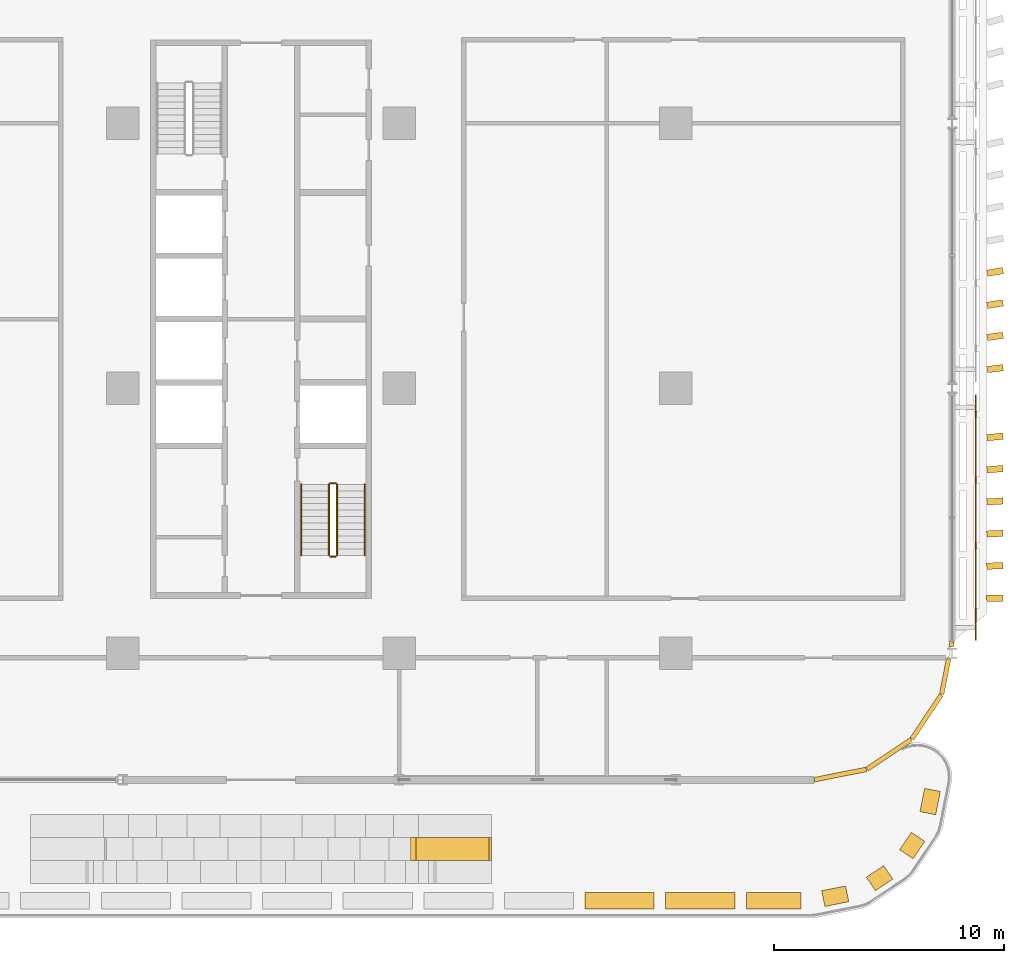
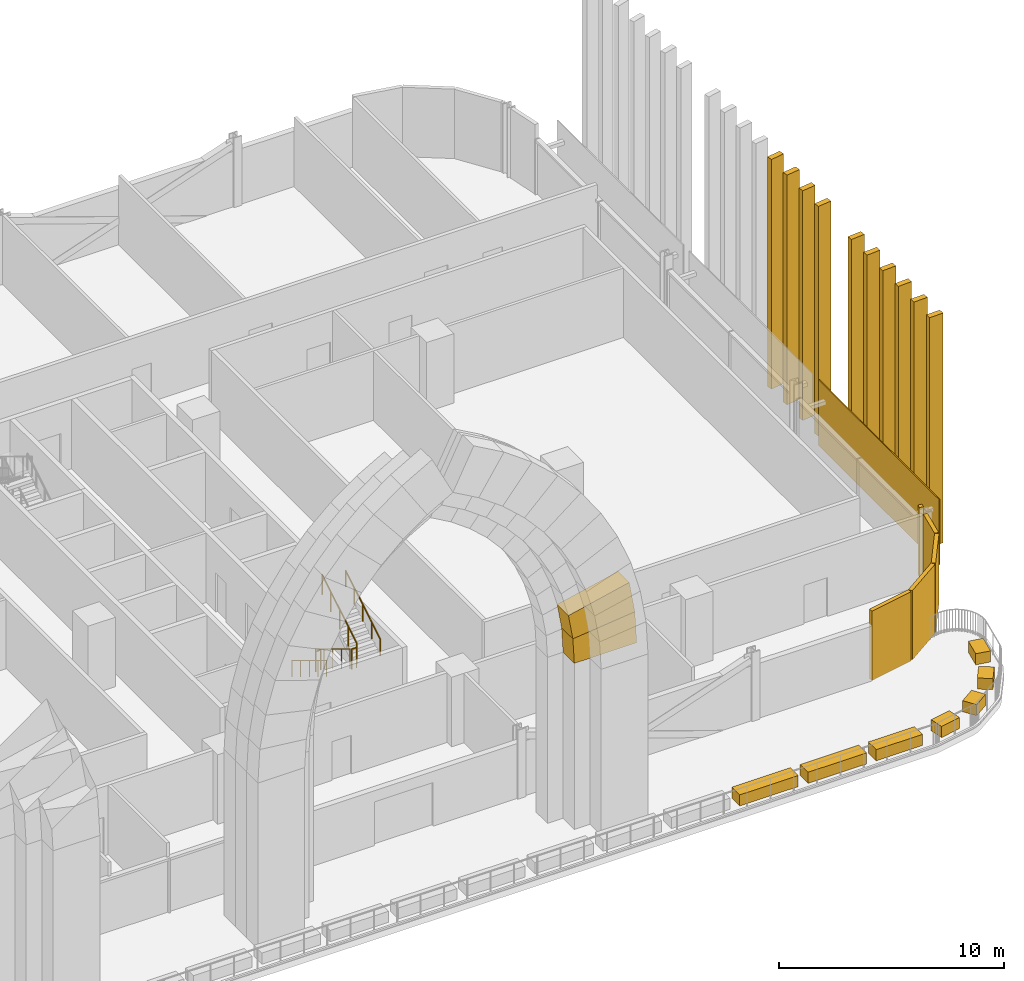
# One storey, part 28 of 31: 25 coverings, 6 railings.
"""IFC4 building model written with IfcOpenShell, lengths in metres."""

from ifc_helpers import new_model, si_unit, direction, frame, origin, origin_2d, place, context, subcontext, project, spatial, polyline, rectangle, circle, outline, extrude, material, layer, layer_set, type_object, element, save


model = new_model("IFC4")

# Units and contexts
model_context = context("Model", 3, precision=1e-05, world=origin(), true_north=direction((0.0, 1.0)))
body_context = subcontext(model_context, "Body", "Model", "MODEL_VIEW")
ifc_project = project(units=[si_unit("LENGTHUNIT", "METRE"), si_unit("AREAUNIT", "SQUARE_METRE"), si_unit("VOLUMEUNIT", "CUBIC_METRE"), si_unit("PLANEANGLEUNIT", "RADIAN"), si_unit("MASSUNIT", "GRAM", prefix="KILO")], contexts=[model_context])

# Site, building, storey
site_placement = place(None, origin())
site = spatial("IfcSite", under=ifc_project, at=site_placement, CompositionType="ELEMENT")
building_placement = place(site_placement, origin())
building = spatial("IfcBuilding", under=site, at=building_placement, Name="Mahtab Terrace Research Tower", CompositionType="ELEMENT")
storey_placement = place(building_placement, frame((0.0, 0.0, 84.800048828125)))
storey = spatial("IfcBuildingStorey", under=building, at=storey_placement, Name="L19", CompositionType="ELEMENT", Elevation=84.800048828125)

# Coverings
ifc_material_1 = material(Name="Black aluminium cladding panel", Category="aluminium")
ifc_layer_1 = layer(ifc_material_1, 0.199951171875)
ifc_layer_set_1 = layer_set([ifc_layer_1], Name="Black metal corner cladding 200")
covering_type_1 = type_object("IfcCoveringType", Name="Black metal corner cladding 200", PredefinedType="CLADDING", material=ifc_layer_set_1)
for number, where, z_axis, x_axis, name in (
    (1, (49.14794921875, -16.771484375, 0.0), (0.0, 0.0, 1.0), (0.980760981187, 0.195212442692, 0.0), "Corner cladding L19 31"),
    (2, (51.26953125, -15.89306640625, 0.0), (0.0, 0.0, 1.0), (0.831655794326, 0.555291490808, 0.0), "Corner cladding L19 32"),
    (3, (52.89306640625, -14.26953125, 0.0), (0.0, 0.0, 1.0), (0.555291490808, 0.831655794326, 0.0), "Corner cladding L19 33"),
):
    element("IfcCovering", number, at=place(storey_placement, frame(where, z_axis=z_axis, x_axis=x_axis)), inside=storey, type_object=covering_type_1, Name=name, PredefinedType="CLADDING", context=body_context, shape_type="SweptSolid", body=[
        extrude(rectangle(XDim=2.30126953125, YDim=0.199951171875, at=origin_2d()), origin(), (0.0, 0.0, 1.0), 3.760009765625),
    ])
covering_1_placement = place(storey_placement, frame((53.699462890625, -12.51025390625, 0.0), z_axis=(0.0, 0.0, 1.0), x_axis=(0.195212442692, 0.980760981187, 0.0)))
element("IfcCovering", 4, at=covering_1_placement, inside=storey, type_object=covering_type_1, Name="Corner cladding L19 34", PredefinedType="CLADDING", context=body_context, shape_type="SweptSolid", body=[
    extrude(rectangle(XDim=1.562744140625, YDim=0.199951171875, at=origin_2d()), origin(), (0.0, 0.0, 1.0), 3.760009765625),
])
covering_2_placement = place(storey_placement, frame((53.977294921875, -11.114013671875, 0.0), z_axis=(0.0, 0.0, 1.0), x_axis=(0.195212442692, 0.980760981187, 0.0)))
element("IfcCovering", 5, at=covering_2_placement, inside=storey, type_object=covering_type_1, Name="Corner cladding L19 35", PredefinedType="CLADDING", context=body_context, shape_type="SweptSolid", body=[
    extrude(rectangle(XDim=0.212158203125, YDim=0.199951171875, at=origin_2d()), origin(), (0.0, 0.0, 1.0), 3.760009765625),
])
ifc_material_2 = material(Name="Glazed ceramic tile cladding", Category="masonry")
ifc_layer_2 = layer(ifc_material_2, 1.0)
ifc_layer_set_2 = layer_set([ifc_layer_2], Name="Iwan portal cladding arch course 800")
covering_type_2 = type_object("IfcCoveringType", Name="Iwan portal cladding arch course 800", PredefinedType="CLADDING", material=ifc_layer_set_2)
covering_3_placement = place(storey_placement, frame((30.800048828125, -19.5, 9.030029296875), z_axis=(0.0, 1.0, 0.0), x_axis=(-0.055191226399, 0.0, 0.998475802676)))
element("IfcCovering", 6, at=covering_3_placement, inside=storey, type_object=covering_type_2, Name="Iwan portal arch course 2.2.2E1", PredefinedType="CLADDING", context=body_context, shape_type="SweptSolid", body=[
    extrude(outline(polyline([(0.0, 0.0), (1.3580269322667167, 0.0), (1.536962013624163, 3.1946766047444584), (-0.17660922959347186, 3.1950738148604), (0.0, 0.0)])), origin(), (0.0, 0.0, -1.0), 1.0),
])
covering_4_placement = place(storey_placement, frame((30.72509765625, -19.5, 10.385986328125), z_axis=(0.0, 1.0, 0.0), x_axis=(-0.166379947434, 0.0, 0.986061718703)))
element("IfcCovering", 7, at=covering_4_placement, inside=storey, type_object=covering_type_2, Name="Iwan portal arch course 2.2.2E2", PredefinedType="CLADDING", context=body_context, shape_type="SweptSolid", body=[
    extrude(outline(polyline([(0.0, 0.0), (1.3587828475505148, 0.0), (1.5336205499310798, 3.195702399212898), (-0.17904420808999094, 3.194670490643973), (0.0, 0.0)])), origin(), (0.0, 0.0, -1.0), 1.0),
])
ifc_material_3 = material(Name="Planting soil and shrubs")
ifc_layer_3 = layer(ifc_material_3, 0.1201171875)
ifc_layer_set_3 = layer_set([ifc_layer_3], Name="Planter")
covering_type_3 = type_object("IfcCoveringType", Name="Planter", PredefinedType="USERDEFINED", material=ifc_layer_set_3)
for number, where, z_axis, x_axis, name in (
    (8, (39.56591796875, -22.25, 0.02978515625), (0.0, 0.0, 1.0), (1.0, 0.0, 0.0), "PLANTER terrace 2"),
    (9, (43.06591796875, -22.25, 0.02978515625), (0.0, 0.0, 1.0), (1.0, 0.0, 0.0), "PLANTER terrace 2"),
):
    element("IfcCovering", number, at=place(storey_placement, frame(where, z_axis=z_axis, x_axis=x_axis)), inside=storey, type_object=covering_type_3, Name=name, ObjectType="PLANTER", PredefinedType="USERDEFINED", context=body_context, shape_type="SweptSolid", body=[
        extrude(rectangle(XDim=3.0, YDim=0.699951171875, at=origin_2d()), origin(), (0.0, 0.0, 1.0), 0.60009765625),
    ])
covering_5_placement = place(storey_placement, frame((46.25, -22.25, 0.02978515625), z_axis=(0.0, 0.0, 1.0), x_axis=(1.0, 0.0, 0.0)))
element("IfcCovering", 10, at=covering_5_placement, inside=storey, type_object=covering_type_3, Name="PLANTER terrace 2", ObjectType="PLANTER", PredefinedType="USERDEFINED", context=body_context, shape_type="SweptSolid", body=[
    extrude(rectangle(XDim=2.368408203125, YDim=0.699951171875, at=origin_2d()), origin(), (0.0, 0.0, 1.0), 0.60009765625),
])
covering_6_placement = place(storey_placement, frame((48.92822265625, -22.05029296875, 0.02978515625), z_axis=(0.0, 0.0, 1.0), x_axis=(0.980742754391, 0.195303993071, 0.0)))
element("IfcCovering", 11, at=covering_6_placement, inside=storey, type_object=covering_type_3, Name="PLANTER terrace 2", ObjectType="PLANTER", PredefinedType="USERDEFINED", context=body_context, shape_type="SweptSolid", body=[
    extrude(rectangle(XDim=1.060546875, YDim=0.699951171875, at=origin_2d()), origin(), (0.0, 0.0, 1.0), 0.60009765625),
])
for number, where, z_axis, x_axis, name in (
    (12, (50.853759765625, -21.268798828125, 0.02978515625), (0.0, 0.0, 1.0), (0.831344457855, 0.555757494231, 0.0), "PLANTER terrace 2"),
    (13, (52.268798828125, -19.853759765625, 0.02978515625), (0.0, 0.0, 1.0), (0.555757494231, 0.831344457855, 0.0), "PLANTER terrace 2"),
):
    element("IfcCovering", number, at=place(storey_placement, frame(where, z_axis=z_axis, x_axis=x_axis)), inside=storey, type_object=covering_type_3, Name=name, ObjectType="PLANTER", PredefinedType="USERDEFINED", context=body_context, shape_type="SweptSolid", body=[
        extrude(rectangle(XDim=0.908447265625, YDim=0.699951171875, at=origin_2d()), origin(), (0.0, 0.0, 1.0), 0.60009765625),
    ])
covering_7_placement = place(storey_placement, frame((53.0478515625, -17.941162109375, 0.02978515625), z_axis=(0.0, 0.0, 1.0), x_axis=(0.195395445655, 0.980724538195, 0.0)))
element("IfcCovering", 14, at=covering_7_placement, inside=storey, type_object=covering_type_3, Name="PLANTER terrace 2", ObjectType="PLANTER", PredefinedType="USERDEFINED", context=body_context, shape_type="SweptSolid", body=[
    extrude(rectangle(XDim=1.0341796875, YDim=0.699951171875, at=origin_2d()), origin(), (0.0, 0.0, 1.0), 0.60009765625),
])
ifc_material_4 = material(Name="Bronze anodised aluminium", Category="aluminium")
ifc_layer_4 = layer(ifc_material_4, 0.050048828125)
ifc_layer_set_4 = layer_set([ifc_layer_4], Name="Sky lounge girih screen panel")
covering_type_4 = type_object("IfcCoveringType", Name="Sky lounge girih screen panel", PredefinedType="CLADDING", material=ifc_layer_set_4)
covering_8_placement = place(storey_placement, frame((55.02490234375, -5.614013671875, 0.099853515625), z_axis=(0.0, 0.0, 1.0), x_axis=(0.0, 1.0, 0.0)))
element("IfcCovering", 15, at=covering_8_placement, inside=storey, type_object=covering_type_4, Name="Girih screen L19 E37", PredefinedType="CLADDING", context=body_context, shape_type="SweptSolid", body=[
    extrude(rectangle(XDim=10.672119140625, YDim=0.050048828125, at=origin_2d()), origin(), (0.0, 0.0, 1.0), 3.56005859375),
])

# Railings
ifc_material_5 = material(Name="Stainless steel AISI 304", Category="steel")
railing_type_1 = type_object("IfcRailingType", Name="Stair guard 1100", PredefinedType="GUARDRAIL", material=ifc_material_5)
railing_1_placement = place(storey_placement, frame((26.949951171875, -4.175048828125, 0.1708984375)))
element("IfcRailing", 16, at=railing_1_placement, inside=storey, type_object=railing_type_1, Name="L19 ST4 stair guard 1", PredefinedType="GUARDRAIL", context=body_context, shape_type="SweptSolid", body=[
    extrude(circle(Radius=0.02392578125, at=origin_2d()), frame((0.0, 0.0, 1.076171875), z_axis=(0.0, -0.853647949592, 0.520850437417), x_axis=(1.0, 0.0, 0.0)), (0.0, 0.0, 1.0), 3.60791015625),
    extrude(circle(Radius=0.02099609375, at=origin_2d()), origin(), (0.0, 0.0, 1.0), 1.052001953125),
    extrude(circle(Radius=0.02099609375, at=origin_2d()), frame((0.0, -0.77001953125, 0.4697265625)), (0.0, 0.0, 1.0), 1.052001953125),
    extrude(circle(Radius=0.02099609375, at=origin_2d()), frame((0.0, -1.5400390625, 0.939453125)), (0.0, 0.0, 1.0), 1.052001953125),
    extrude(circle(Radius=0.02099609375, at=origin_2d()), frame((0.0, -2.309814453125, 1.409423828125)), (0.0, 0.0, 1.0), 1.052001953125),
    extrude(circle(Radius=0.02099609375, at=origin_2d()), frame((0.0, -3.079833984375, 1.879150390625)), (0.0, 0.0, 1.0), 1.052001953125),
])
railing_2_placement = place(storey_placement, frame((27.0, -7.304931640625, 2.050048828125)))
element("IfcRailing", 17, at=railing_2_placement, inside=storey, type_object=railing_type_1, Name="L19 ST4 stair guard 2", PredefinedType="GUARDRAIL", context=body_context, shape_type="SweptSolid", body=[
    extrude(circle(Radius=0.02392578125, at=origin_2d()), frame((0.0, 0.0, 1.076171875), z_axis=(1.0, 0.0, 0.0), x_axis=(0.0, 1.0, 0.0)), (0.0, 0.0, 1.0), 0.25),
    extrude(circle(Radius=0.02099609375, at=origin_2d()), origin(), (0.0, 0.0, 1.0), 1.052001953125),
    extrude(circle(Radius=0.02099609375, at=origin_2d()), frame((0.25, 0.0, 0.0)), (0.0, 0.0, 1.0), 1.052001953125),
])
railing_3_placement = place(storey_placement, frame((27.300048828125, -7.2548828125, 2.220703125)))
element("IfcRailing", 18, at=railing_3_placement, inside=storey, type_object=railing_type_1, Name="L19 ST4 stair guard 3", PredefinedType="GUARDRAIL", context=body_context, shape_type="SweptSolid", body=[
    extrude(circle(Radius=0.02392578125, at=origin_2d()), frame((0.0, 0.0, 1.076171875), z_axis=(0.0, 0.853647949592, 0.520850437417), x_axis=(-1.0, 0.0, 0.0)), (0.0, 0.0, 1.0), 3.60791015625),
    extrude(circle(Radius=0.02099609375, at=origin_2d()), origin(), (0.0, 0.0, 1.0), 1.052001953125),
    extrude(circle(Radius=0.02099609375, at=origin_2d()), frame((0.0, 0.77001953125, 0.4697265625)), (0.0, 0.0, 1.0), 1.052001953125),
    extrude(circle(Radius=0.02099609375, at=origin_2d()), frame((0.0, 1.5400390625, 0.939453125)), (0.0, 0.0, 1.0), 1.052001953125),
    extrude(circle(Radius=0.02099609375, at=origin_2d()), frame((0.0, 2.309814453125, 1.409423828125)), (0.0, 0.0, 1.0), 1.052001953125),
    extrude(circle(Radius=0.02099609375, at=origin_2d()), frame((0.0, 3.079833984375, 1.879150390625)), (0.0, 0.0, 1.0), 1.052001953125),
])
railing_4_placement = place(storey_placement, frame((27.0, -4.125, 0.0)))
element("IfcRailing", 19, at=railing_4_placement, inside=storey, type_object=railing_type_1, Name="L19 ST4 stair guard 4", PredefinedType="GUARDRAIL", context=body_context, shape_type="SweptSolid", body=[
    extrude(circle(Radius=0.02392578125, at=origin_2d()), frame((0.0, 0.0, 1.076171875), z_axis=(1.0, 0.0, 0.0), x_axis=(0.0, 1.0, 0.0)), (0.0, 0.0, 1.0), 0.25),
    extrude(circle(Radius=0.02099609375, at=origin_2d()), origin(), (0.0, 0.0, 1.0), 1.052001953125),
    extrude(circle(Radius=0.02099609375, at=origin_2d()), frame((0.25, 0.0, 0.0)), (0.0, 0.0, 1.0), 1.052001953125),
])
railing_type_2 = type_object("IfcRailingType", Name="Stair handrail 900", PredefinedType="HANDRAIL", material=ifc_material_5)
railing_5_placement = place(storey_placement, frame((25.75, -4.175048828125, 0.1708984375)))
element("IfcRailing", 20, at=railing_5_placement, inside=storey, type_object=railing_type_2, Name="L19 ST4 stair handrail 1", PredefinedType="HANDRAIL", context=body_context, shape_type="SweptSolid", body=[
    extrude(circle(Radius=0.02392578125, at=origin_2d()), frame((0.0, 0.0, 0.8759765625), z_axis=(0.0, -0.853647949592, 0.520850437417), x_axis=(1.0, 0.0, 0.0)), (0.0, 0.0, 1.0), 3.60791015625),
    extrude(circle(Radius=0.02099609375, at=origin_2d()), origin(), (0.0, 0.0, 1.0), 0.851806640625),
    extrude(circle(Radius=0.02099609375, at=origin_2d()), frame((0.0, -0.77001953125, 0.4697265625)), (0.0, 0.0, 1.0), 0.851806640625),
    extrude(circle(Radius=0.02099609375, at=origin_2d()), frame((0.0, -1.5400390625, 0.939453125)), (0.0, 0.0, 1.0), 0.851806640625),
    extrude(circle(Radius=0.02099609375, at=origin_2d()), frame((0.0, -2.309814453125, 1.409423828125)), (0.0, 0.0, 1.0), 0.851806640625),
    extrude(circle(Radius=0.02099609375, at=origin_2d()), frame((0.0, -3.079833984375, 1.879150390625)), (0.0, 0.0, 1.0), 0.851806640625),
])
railing_6_placement = place(storey_placement, frame((28.5, -7.2548828125, 2.220703125)))
element("IfcRailing", 21, at=railing_6_placement, inside=storey, type_object=railing_type_2, Name="L19 ST4 stair handrail 2", PredefinedType="HANDRAIL", context=body_context, shape_type="SweptSolid", body=[
    extrude(circle(Radius=0.02392578125, at=origin_2d()), frame((0.0, 0.0, 0.8759765625), z_axis=(0.0, 0.853647949592, 0.520850437417), x_axis=(-1.0, 0.0, 0.0)), (0.0, 0.0, 1.0), 3.60791015625),
    extrude(circle(Radius=0.02099609375, at=origin_2d()), origin(), (0.0, 0.0, 1.0), 0.851806640625),
    extrude(circle(Radius=0.02099609375, at=origin_2d()), frame((0.0, 0.77001953125, 0.4697265625)), (0.0, 0.0, 1.0), 0.851806640625),
    extrude(circle(Radius=0.02099609375, at=origin_2d()), frame((0.0, 1.5400390625, 0.939453125)), (0.0, 0.0, 1.0), 0.851806640625),
    extrude(circle(Radius=0.02099609375, at=origin_2d()), frame((0.0, 2.309814453125, 1.409423828125)), (0.0, 0.0, 1.0), 0.851806640625),
    extrude(circle(Radius=0.02099609375, at=origin_2d()), frame((0.0, 3.079833984375, 1.879150390625)), (0.0, 0.0, 1.0), 0.851806640625),
])

# Coverings
ifc_layer_5 = layer(ifc_material_4, 0.1201171875)
ifc_layer_set_5 = layer_set([ifc_layer_5], Name="Vertical fin 700")
covering_type_5 = type_object("IfcCoveringType", Name="Vertical fin 700", PredefinedType="CLADDING", material=ifc_layer_set_5)
for number, where, z_axis, x_axis, name in (
    (22, (55.8525390625, -9.114013671875, -0.14990234375), (0.0, 0.0, 1.0), (-0.019361678155, 0.99981254514, 0.0), "Fin L19 E1"),
    (23, (55.8544921875, -7.714111328125, -0.14990234375), (0.0, 0.0, 1.0), (-0.033729788769, 0.999430988788, 0.0), "Fin L19 E2"),
    (24, (55.8564453125, -6.31396484375, -0.14990234375), (0.0, 0.0, 1.0), (-0.048090931225, 0.998842961798, 0.0), "Fin L19 E3"),
    (25, (55.858154296875, -4.9140625, -0.14990234375), (0.0, 0.0, 1.0), (-0.062442138662, 0.998048585651, 0.0), "Fin L19 E4"),
    (26, (55.859619140625, -3.513916015625, -0.14990234375), (0.0, 0.0, 1.0), (-0.076780446291, 0.997048024454, 0.0), "Fin L19 E5"),
    (27, (55.861328125, -2.114013671875, -0.14990234375), (0.0, 0.0, 1.0), (-0.091102891987, 0.995841484912, 0.0), "Fin L19 E6"),
    (28, (55.864501953125, 0.85009765625, -0.14990234375), (0.0, 0.0, 1.0), (-0.121359821532, 0.992608580316, 0.0), "Fin L19 E1"),
    (29, (55.86572265625, 2.25, -0.14990234375), (0.0, 0.0, 1.0), (-0.135613855178, 0.990761768683, 0.0), "Fin L19 E2"),
    (30, (55.866943359375, 3.64990234375, -0.14990234375), (0.0, 0.0, 1.0), (-0.149839872602, 0.988710277371, 0.0), "Fin L19 E3"),
    (31, (55.8681640625, 5.050048828125, -0.14990234375), (0.0, 0.0, 1.0), (-0.164034934879, 0.986454530193, 0.0), "Fin L19 E4"),
):
    element("IfcCovering", number, at=place(storey_placement, frame(where, z_axis=z_axis, x_axis=x_axis)), inside=storey, type_object=covering_type_5, Name=name, PredefinedType="CLADDING", context=body_context, shape_type="SweptSolid", body=[
        extrude(rectangle(XDim=0.280029296875, YDim=0.699951171875, at=origin_2d()), origin(), (0.0, 0.0, 1.0), 12.449951171875),
    ])

save(model, "model.ifc")
